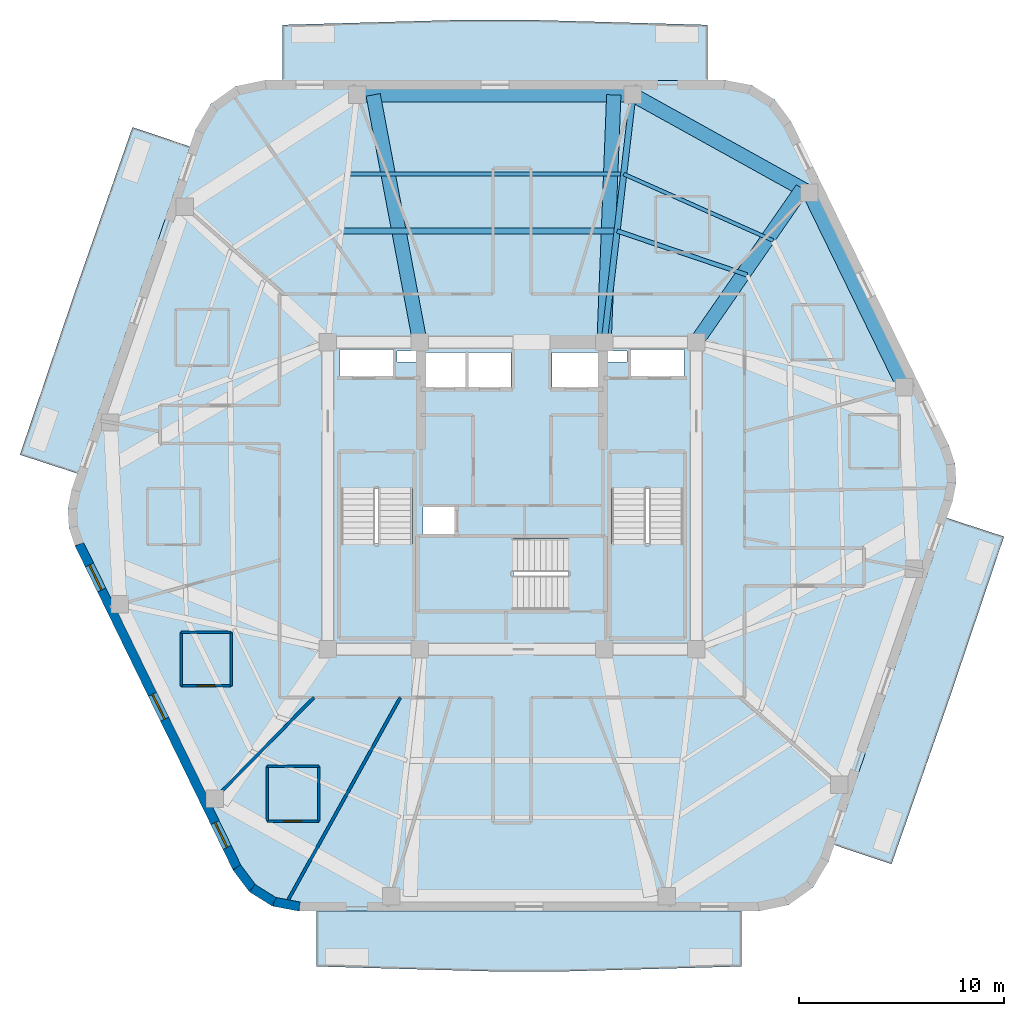
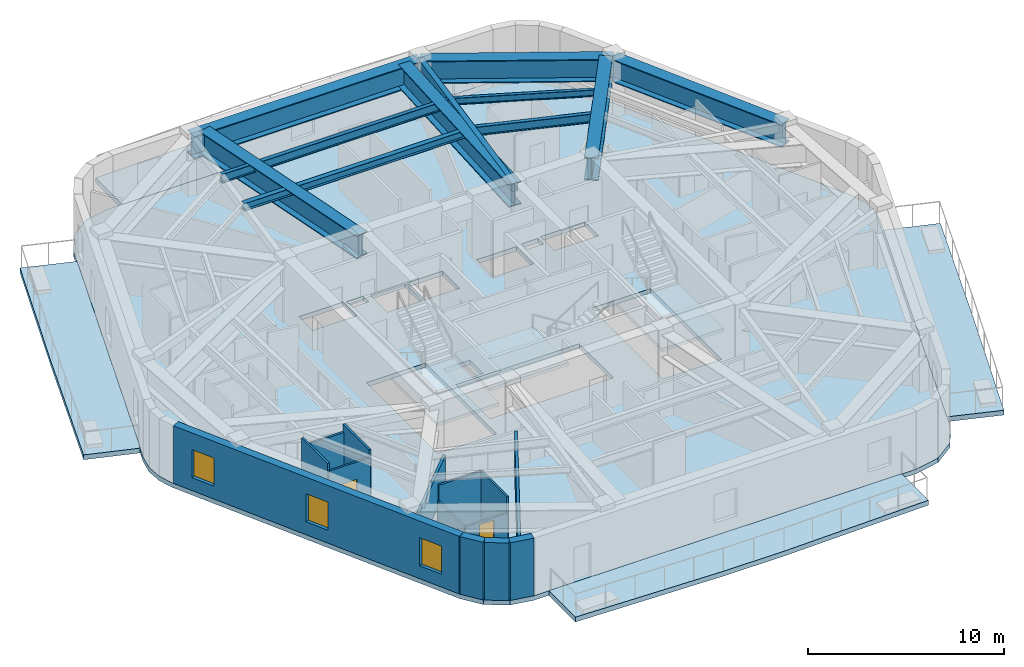
# One storey, part 2 of 9: 14 walls, 11 beams, 8 slabs, 3 windows, 2 doors, 5 openings, 3 elements without a shape of their own.
"""IFC4 building model written with IfcOpenShell, lengths in metres."""

from ifc_helpers import new_model, si_unit, direction, frame, frame_2d, origin, origin_2d, place, context, subcontext, project, spatial, polyline, rectangle, i_section, outline, extrude, material, layer, layer_set, material_profile, profile_set, type_object, element, fill, aggregate, save


model = new_model("IFC4")

# Units and contexts
model_context = context("Model", 3, precision=1e-05, world=origin(), true_north=direction((0.0, 1.0)))
body_context = subcontext(model_context, "Body", "Model", "MODEL_VIEW")
ifc_project = project(units=[si_unit("LENGTHUNIT", "METRE"), si_unit("AREAUNIT", "SQUARE_METRE"), si_unit("VOLUMEUNIT", "CUBIC_METRE"), si_unit("PLANEANGLEUNIT", "RADIAN"), si_unit("MASSUNIT", "GRAM", prefix="KILO")], contexts=[model_context])

# Site, building, storey
site_placement = place(None, origin())
site = spatial("IfcSite", under=ifc_project, at=site_placement, CompositionType="ELEMENT")
building_placement = place(site_placement, origin())
building = spatial("IfcBuilding", under=site, at=building_placement, Name="Kilnhurst Terrace Hotel", CompositionType="ELEMENT")
storey_placement = place(building_placement, frame((0.0, 0.0, 301.5)))
storey = spatial("IfcBuildingStorey", under=building, at=storey_placement, Name="L75", CompositionType="ELEMENT", Elevation=301.5)

# Beams
ifc_material_1 = material(Name="Concrete C50/60", Category="concrete")
ifc_material_profile_1 = material_profile(ifc_material_1, rectangle(XDim=0.300048828125, YDim=0.5, at=origin_2d()), Name="RC300X500")
ifc_profile_set_1 = profile_set([ifc_material_profile_1], Name="Concrete C50/60")
beam_type_1 = type_object("IfcBeamType", Name="BM-RAD-300X500", PredefinedType="BEAM", material=ifc_profile_set_1)
beam_1_placement = place(storey_placement, frame((4.5, 7.5, 3.330078125), z_axis=(0.115768472001, 0.993276225876, 0.0), x_axis=(-0.993276225876, 0.115768472001, 0.0)))
element("IfcBeam", 1, at=beam_1_placement, inside=storey, type_object=beam_type_1, Name="L75 Radial Floor Beam 7", PredefinedType="BEAM", context=body_context, shape_type="SweptSolid", body=[
    extrude(rectangle(XDim=0.300048828125, YDim=0.5, at=origin_2d()), origin(), (0.0, 0.0, 1.0), 12.161865234375),
])
ifc_material_2 = material(Name="Steel ASTM A992 Grade 50", Category="steel")
ifc_material_profile_2 = material_profile(ifc_material_2, i_section(OverallWidth=0.180908203125, OverallDepth=0.417236328125, WebThickness=0.010986328125, FlangeThickness=0.018310546875, at=origin_2d()), Name="W16X57")
ifc_profile_set_2 = profile_set([ifc_material_profile_2], Name="Steel ASTM A992 Grade 50")
beam_type_2 = type_object("IfcBeamType", Name="JST-STL-W16X57", PredefinedType="JOIST", material=ifc_profile_set_2)
beam_2_placement = place(storey_placement, frame((12.760986328125, 12.462646484375, 3.37109375), z_axis=(-0.913545640569, 0.406736232216, 0.0), x_axis=(-0.406736232216, -0.913545640569, 0.0)))
element("IfcBeam", 2, at=beam_2_placement, inside=storey, type_object=beam_type_2, Name="L75 Secondary Floor Steel Joist OUT.6", PredefinedType="JOIST", context=body_context, shape_type="SweptSolid", body=[
    extrude(i_section(OverallWidth=0.180908203125, OverallDepth=0.417236328125, WebThickness=0.010986328125, FlangeThickness=0.018310546875, at=origin_2d()), origin(), (0.0, 0.0, 1.0), 7.99462890625),
])
ifc_material_profile_3 = material_profile(ifc_material_2, i_section(OverallWidth=0.279296875, OverallDepth=0.462890625, WebThickness=0.0107421875, FlangeThickness=0.017333984375, at=origin_2d()), Name="W18X76")
ifc_profile_set_3 = profile_set([ifc_material_profile_3], Name="Steel ASTM A992 Grade 50")
beam_type_3 = type_object("IfcBeamType", Name="JST-STL-W18X76", PredefinedType="JOIST", material=ifc_profile_set_3)
beam_3_placement = place(storey_placement, frame((5.133544921875, 12.93603515625, 3.347900390625), z_axis=(-1.0, 0.0, 0.0), x_axis=(0.0, -1.0, 0.0)))
element("IfcBeam", 3, at=beam_3_placement, inside=storey, type_object=beam_type_3, Name="L75 Secondary Floor Steel Joist IN.7", PredefinedType="JOIST", context=body_context, shape_type="SweptSolid", body=[
    extrude(i_section(OverallWidth=0.279296875, OverallDepth=0.462890625, WebThickness=0.0107421875, FlangeThickness=0.017333984375, at=origin_2d()), origin(), (0.0, 0.0, 1.0), 13.489501953125),
])
ifc_material_profile_4 = material_profile(ifc_material_2, i_section(OverallWidth=0.2138671875, OverallDepth=0.549072265625, WebThickness=0.0146484375, FlangeThickness=0.023681640625, at=origin_2d()), Name="W21X93")
ifc_profile_set_4 = profile_set([ifc_material_profile_4], Name="Steel ASTM A992 Grade 50")
beam_type_4 = type_object("IfcBeamType", Name="JST-STL-W21X93", PredefinedType="JOIST", material=ifc_profile_set_4)
beam_4_placement = place(storey_placement, frame((5.45751953125, 15.71435546875, 3.304931640625), z_axis=(-1.0, 0.0, 0.0), x_axis=(0.0, -1.0, 0.0)))
element("IfcBeam", 4, at=beam_4_placement, inside=storey, type_object=beam_type_4, Name="L75 Secondary Floor Steel Joist OUT.7", PredefinedType="JOIST", context=body_context, shape_type="SweptSolid", body=[
    extrude(i_section(OverallWidth=0.2138671875, OverallDepth=0.549072265625, WebThickness=0.0146484375, FlangeThickness=0.023681640625, at=origin_2d()), origin(), (0.0, 0.0, 1.0), 13.484375),
])
beam_5_placement = place(storey_placement, frame((11.489013671875, 10.7841796875, 3.304931640625), z_axis=(-0.947180946302, 0.320699633555, 0.0), x_axis=(-0.320699633555, -0.947180946302, 0.0)))
element("IfcBeam", 5, at=beam_5_placement, inside=storey, type_object=beam_type_4, Name="L75 Secondary Floor Steel Joist IN.6", PredefinedType="JOIST", context=body_context, shape_type="SweptSolid", body=[
    extrude(i_section(OverallWidth=0.2138671875, OverallDepth=0.549072265625, WebThickness=0.0146484375, FlangeThickness=0.023681640625, at=origin_2d()), origin(), (0.0, 0.0, 1.0), 6.7099609375),
])
ifc_material_3 = material(Name="Steel ASTM A572 Grade 50", Category="steel")
ifc_material_profile_5 = material_profile(ifc_material_3, i_section(OverallWidth=0.699951171875, OverallDepth=1.39990234375, WebThickness=0.035888671875, FlangeThickness=0.054931640625, at=origin_2d()), Name="PG1400X700")
ifc_profile_set_5 = profile_set([ifc_material_profile_5], Name="Steel ASTM A572 Grade 50")
beam_type_5 = type_object("IfcBeamType", Name="TG-PORT-1400", PredefinedType="USERDEFINED", material=ifc_profile_set_5)
beam_6_placement = place(storey_placement, frame((19.157958984375, 5.304931640625, 2.8798828125), z_axis=(-0.438128464895, 0.898912369616, 0.0), x_axis=(-0.898912369616, -0.438128464895, 0.0)))
element("IfcBeam", 6, at=beam_6_placement, inside=storey, type_object=beam_type_5, Name="L75 Zone Step Perimeter Transfer Girder 5", ObjectType="GIRDER", PredefinedType="USERDEFINED", context=body_context, shape_type="SweptSolid", body=[
    extrude(i_section(OverallWidth=0.699951171875, OverallDepth=1.39990234375, WebThickness=0.035888671875, FlangeThickness=0.054931640625, at=origin_2d()), origin(), (0.0, 0.0, 1.0), 10.560791015625),
])
beam_7_placement = place(storey_placement, frame((14.531005859375, 14.798095703125, 2.8798828125), z_axis=(-0.874527255888, 0.484976369227, 0.0), x_axis=(-0.484976369227, -0.874527255888, 0.0)))
element("IfcBeam", 7, at=beam_7_placement, inside=storey, type_object=beam_type_5, Name="L75 Zone Step Perimeter Transfer Girder 6", ObjectType="GIRDER", PredefinedType="USERDEFINED", context=body_context, shape_type="SweptSolid", body=[
    extrude(i_section(OverallWidth=0.699951171875, OverallDepth=1.39990234375, WebThickness=0.035888671875, FlangeThickness=0.054931640625, at=origin_2d()), origin(), (0.0, 0.0, 1.0), 9.8603515625),
])
beam_8_placement = place(storey_placement, frame((5.907958984375, 19.580078125, 2.8798828125), z_axis=(-1.0, 0.0, 0.0), x_axis=(0.0, -1.0, 0.0)))
element("IfcBeam", 8, at=beam_8_placement, inside=storey, type_object=beam_type_5, Name="L75 Zone Step Perimeter Transfer Girder 7", ObjectType="GIRDER", PredefinedType="USERDEFINED", context=body_context, shape_type="SweptSolid", body=[
    extrude(i_section(OverallWidth=0.699951171875, OverallDepth=1.39990234375, WebThickness=0.035888671875, FlangeThickness=0.054931640625, at=origin_2d()), origin(), (0.0, 0.0, 1.0), 13.47705078125),
])
beam_9_placement = place(storey_placement, frame((9.0, 7.5, 2.8798828125), z_axis=(0.568765303988, 0.822499865641, 0.0), x_axis=(-0.822499865641, 0.568765303988, 0.0)))
element("IfcBeam", 9, at=beam_9_placement, inside=storey, type_object=beam_type_5, Name="L75 Zone Step Radial Transfer Girder 6", ObjectType="GIRDER", PredefinedType="USERDEFINED", context=body_context, shape_type="SweptSolid", body=[
    extrude(i_section(OverallWidth=0.699951171875, OverallDepth=1.39990234375, WebThickness=0.035888671875, FlangeThickness=0.054931640625, at=origin_2d()), origin(), (0.0, 0.0, 1.0), 9.109130859375),
])
beam_10_placement = place(storey_placement, frame((4.5, 7.5, 2.8798828125), z_axis=(0.039076840412, 0.999236208583, 0.0), x_axis=(-0.999236208583, 0.039076840412, 0.0)))
element("IfcBeam", 10, at=beam_10_placement, inside=storey, type_object=beam_type_5, Name="L75 Zone Step Radial Transfer Girder 7", ObjectType="GIRDER", PredefinedType="USERDEFINED", context=body_context, shape_type="SweptSolid", body=[
    extrude(i_section(OverallWidth=0.699951171875, OverallDepth=1.39990234375, WebThickness=0.035888671875, FlangeThickness=0.054931640625, at=origin_2d()), origin(), (0.0, 0.0, 1.0), 12.08935546875),
])
beam_11_placement = place(storey_placement, frame((-4.5, 7.5, 2.8798828125), z_axis=(-0.185602513669, 0.982624906523, 0.0), x_axis=(-0.982624906523, -0.185602513669, 0.0)))
element("IfcBeam", 11, at=beam_11_placement, inside=storey, type_object=beam_type_5, Name="L75 Zone Step Radial Transfer Girder 8", ObjectType="GIRDER", PredefinedType="USERDEFINED", context=body_context, shape_type="SweptSolid", body=[
    extrude(i_section(OverallWidth=0.699951171875, OverallDepth=1.39990234375, WebThickness=0.035888671875, FlangeThickness=0.054931640625, at=origin_2d()), origin(), (0.0, 0.0, 1.0), 12.293701171875),
])

# Slabs
ifc_layer_1 = layer(ifc_material_1, 0.300048828125, Name="Concrete C50/60")
ifc_layer_set_1 = layer_set([ifc_layer_1], Name="Concrete C50/60")
slab_type_1 = type_object("IfcSlabType", Name="SLB-BAL-300", PredefinedType="FLOOR", material=ifc_layer_set_1)
slab_1_placement = place(storey_placement, frame((0.0, 0.0, -0.300048828125)))
element("IfcSlab", 12, at=slab_1_placement, inside=storey, type_object=slab_type_1, Name="L75 Cantilevered Planted Terrace Slab BAL-L1A", PredefinedType="FLOOR", context=body_context, shape_type="SweptSolid", body=[
    extrude(outline(polyline([(2.62060546875, -23.239990234375), (-0.958984375, -23.239990234375), (-9.5498046875, -23.0), (-9.5498046875, -20.280029296875), (11.211669921875, -20.280029296875), (11.211669921875, -23.0), (2.62060546875, -23.239990234375)])), origin(), (0.0, 0.0, 1.0), 0.300048828125),
])
slab_2_placement = place(storey_placement, frame((0.0, 0.0, -0.300048828125)))
element("IfcSlab", 13, at=slab_2_placement, inside=storey, type_object=slab_type_1, Name="L75 Cantilevered Planted Terrace Slab BAL-L1B", PredefinedType="FLOOR", context=body_context, shape_type="SweptSolid", body=[
    extrude(outline(polyline([(18.541259765625, -18.0), (15.725341796875, -17.0556640625), (21.223388671875, -1.0791015625), (24.037353515625, -2.0), (21.317626953125, -10.054931640625), (18.541259765625, -18.0)])), origin(), (0.0, 0.0, 1.0), 0.300048828125),
])
slab_3_placement = place(storey_placement, frame((0.0, 0.0, -0.300048828125)))
element("IfcSlab", 14, at=slab_3_placement, inside=storey, type_object=slab_type_1, Name="L75 Cantilevered Planted Terrace Slab BAL-L2A", PredefinedType="FLOOR", context=body_context, shape_type="SweptSolid", body=[
    extrude(outline(polyline([(0.958984375, 23.239990234375), (9.5498046875, 23.0), (9.5498046875, 20.280029296875), (-11.211669921875, 20.280029296875), (-11.211669921875, 23.0), (-2.62060546875, 23.239990234375), (0.958984375, 23.239990234375)])), origin(), (0.0, 0.0, 1.0), 0.300048828125),
])
slab_4_placement = place(storey_placement, frame((0.0, 0.0, -0.300048828125)))
element("IfcSlab", 15, at=slab_4_placement, inside=storey, type_object=slab_type_1, Name="L75 Cantilevered Planted Terrace Slab BAL-L2B", PredefinedType="FLOOR", context=body_context, shape_type="SweptSolid", body=[
    extrude(outline(polyline([(-18.541259765625, 18.0), (-15.725341796875, 17.0556640625), (-21.223388671875, 1.0791015625), (-24.037353515625, 2.0), (-21.317626953125, 10.054931640625), (-18.541259765625, 18.0)])), origin(), (0.0, 0.0, 1.0), 0.300048828125),
])
ifc_layer_2 = layer(ifc_material_1, 0.280029296875, Name="Concrete C50/60")
ifc_layer_set_2 = layer_set([ifc_layer_2], Name="Concrete C50/60")
slab_type_2 = type_object("IfcSlabType", Name="SLB-FLR-280", PredefinedType="FLOOR", material=ifc_layer_set_2)
slab_5_placement = place(storey_placement, frame((0.0, 0.0, -0.280029296875)))
element("IfcSlab", 16, at=slab_5_placement, inside=storey, type_object=slab_type_2, Name="L75 Structural Floor Slab", PredefinedType="FLOOR", context=body_context, shape_type="SweptSolid", body=[
    extrude(outline(polyline([(-13.635986328125, -18.27734375), (-12.840087890625, -19.3466796875), (-11.709716796875, -20.05322265625), (-10.39990234375, -20.300048828125), (12.061767578125, -20.300048828125), (13.5068359375, -19.9970703125), (14.708984375, -19.139404296875), (15.4658203125, -17.871337890625), (21.51513671875, -0.29248046875), (21.7021484375, 0.627685546875), (21.64501953125, 1.565185546875), (21.34716796875, 2.4560546875), (13.635986328125, 18.27734375), (12.840087890625, 19.3466796875), (11.709716796875, 20.05322265625), (10.39990234375, 20.300048828125), (-12.061767578125, 20.300048828125), (-13.5068359375, 19.9970703125), (-14.708984375, 19.139404296875), (-15.4658203125, 17.871337890625), (-21.51513671875, 0.29248046875), (-21.7021484375, -0.627685546875), (-21.64501953125, -1.565185546875), (-21.34716796875, -2.4560546875), (-13.635986328125, -18.27734375)]), holes=[polyline([(-8.35009765625, 0.35498046875), (-4.8798828125, 0.35498046875), (-4.8798828125, -6.89990234375), (-8.35009765625, -6.89990234375), (-8.35009765625, 0.35498046875)]), polyline([(-2.800048828125, -1.89990234375), (-4.35009765625, -1.89990234375), (-4.35009765625, -0.550048828125), (-2.800048828125, -0.550048828125), (-2.800048828125, -1.89990234375)]), polyline([(-2.25, 5.25), (-4.300048828125, 5.25), (-4.300048828125, 7.0), (-2.25, 7.0), (-2.25, 5.25)]), polyline([(-2.1201171875, 5.25), (-2.1201171875, 7.0), (-0.050048828125, 7.0), (-0.050048828125, 5.25), (-2.1201171875, 5.25)]), polyline([(-8.39990234375, 5.75), (-8.39990234375, 7.14990234375), (-5.800048828125, 7.14990234375), (-5.800048828125, 5.75), (-8.39990234375, 5.75)]), polyline([(-4.659912109375, 6.52001953125), (-5.6201171875, 6.52001953125), (-5.6201171875, 7.080078125), (-4.659912109375, 7.080078125), (-4.659912109375, 6.52001953125)]), polyline([(2.7548828125, -5.550048828125), (-4.5, -5.550048828125), (-4.5, -2.080078125), (2.7548828125, -2.080078125), (2.7548828125, -5.550048828125)]), polyline([(8.35009765625, 0.35498046875), (8.35009765625, -6.89990234375), (4.8798828125, -6.89990234375), (4.8798828125, 0.35498046875), (8.35009765625, 0.35498046875)]), polyline([(4.300048828125, 5.25), (1.949951171875, 5.25), (1.949951171875, 7.0), (4.300048828125, 7.0), (4.300048828125, 5.25)]), polyline([(5.800048828125, 5.75), (5.800048828125, 7.14990234375), (8.39990234375, 7.14990234375), (8.39990234375, 5.75), (5.800048828125, 5.75)]), polyline([(4.659912109375, 6.52001953125), (4.659912109375, 7.080078125), (5.6201171875, 7.080078125), (5.6201171875, 6.52001953125), (4.659912109375, 6.52001953125)])]), origin(), (0.0, 0.0, 1.0), 0.280029296875),
])

# Stair, slab
stair_type = type_object("IfcStairType", Name="STR-CORE-1660", PredefinedType="HALF_TURN_STAIR", material=ifc_material_1)
stair_1_placement = place(storey_placement, origin())
stair_1 = element("IfcStair", 17, at=stair_1_placement, inside=storey, type_object=stair_type, Name="L75 ST-1", PredefinedType="HALF_TURN_STAIR")
ifc_layer_3 = layer(ifc_material_1, 0.199951171875, Name="Concrete C50/60")
ifc_layer_set_3 = layer_set([ifc_layer_3], Name="Concrete C50/60")
slab_type_3 = type_object("IfcSlabType", Name="SLB-ST-LND-200", PredefinedType="LANDING", material=ifc_layer_set_3)
slab_6_placement = place(storey_placement, frame((0.0, 0.0, 1.75)))
slab_6 = element("IfcSlab", 18, at=slab_6_placement, type_object=slab_type_3, Name="ST-1 landing 1", PredefinedType="LANDING", context=body_context, shape_type="SweptSolid", body=[
    extrude(outline(polyline([(-8.429931640625, -2.330078125), (-4.800048828125, -2.330078125), (-4.800048828125, -6.97998046875), (-8.429931640625, -6.97998046875), (-8.429931640625, -2.330078125)])), origin(), (0.0, 0.0, 1.0), 0.199951171875),
])
aggregate(stair_1, [slab_6])

stair_2_placement = place(storey_placement, origin())
stair_2 = element("IfcStair", 19, at=stair_2_placement, inside=storey, type_object=stair_type, Name="L75 ST-2", PredefinedType="HALF_TURN_STAIR")
slab_7_placement = place(storey_placement, frame((0.0, 0.0, 1.75)))
slab_7 = element("IfcSlab", 20, at=slab_7_placement, type_object=slab_type_3, Name="ST-2 landing 1", PredefinedType="LANDING", context=body_context, shape_type="SweptSolid", body=[
    extrude(outline(polyline([(4.800048828125, -2.330078125), (8.429931640625, -2.330078125), (8.429931640625, -6.97998046875), (4.800048828125, -6.97998046875), (4.800048828125, -2.330078125)])), origin(), (0.0, 0.0, 1.0), 0.199951171875),
])
aggregate(stair_2, [slab_7])

stair_3_placement = place(storey_placement, origin())
stair_3 = element("IfcStair", 21, at=stair_3_placement, inside=storey, type_object=stair_type, Name="L75 ST-3", PredefinedType="HALF_TURN_STAIR")
slab_8_placement = place(storey_placement, frame((0.0, 0.0, 1.75)))
slab_8 = element("IfcSlab", 22, at=slab_8_placement, type_object=slab_type_3, Name="ST-3 landing 1", PredefinedType="LANDING", context=body_context, shape_type="SweptSolid", body=[
    extrude(outline(polyline([(0.070068359375, -2.0), (0.070068359375, -5.6298828125), (-4.580078125, -5.6298828125), (-4.580078125, -2.0), (0.070068359375, -2.0)])), origin(), (0.0, 0.0, 1.0), 0.199951171875),
])
aggregate(stair_3, [slab_8])

# Walls
ifc_material_4 = material(Name="Precast concrete C40/50", Category="concrete")
ifc_layer_4 = layer(ifc_material_4, 0.449951171875, Name="Precast concrete C40/50")
ifc_layer_set_4 = layer_set([ifc_layer_4], Name="Precast concrete C40/50")
wall_type_1 = type_object("IfcWallType", Name="WL-BRK-450", PredefinedType="SOLIDWALL", material=ifc_layer_set_4)
wall_1_placement = place(storey_placement, frame((-13.44287109375, -18.159912109375, 0.0), z_axis=(0.0, 0.0, 1.0), x_axis=(0.597042425808, -0.802209661987, 0.0)))
element("IfcWall", 23, at=wall_1_placement, inside=storey, type_object=wall_type_1, Name="L75 Rounded Corner Brick Wall C1.1", PredefinedType="SOLIDWALL", context=body_context, shape_type="SweptSolid", body=[
    extrude(rectangle(XDim=1.269775390625, YDim=0.449951171875, at=frame_2d((0.634765625, 0.0))), origin(), (0.0, 0.0, 1.0), 3.580078125),
])
wall_2_placement = place(storey_placement, frame((-12.684814453125, -19.178466796875, 0.0), z_axis=(0.0, 0.0, 1.0), x_axis=(0.848031272749, -0.529946186362, 0.0)))
element("IfcWall", 24, at=wall_2_placement, inside=storey, type_object=wall_type_1, Name="L75 Rounded Corner Brick Wall C1.2", PredefinedType="SOLIDWALL", context=body_context, shape_type="SweptSolid", body=[
    extrude(rectangle(XDim=1.248046875, YDim=0.449951171875, at=frame_2d((0.6240234375, 0.0))), origin(), (0.0, 0.0, 1.0), 3.580078125),
])
wall_3_placement = place(storey_placement, frame((-11.62646484375, -19.83984375, 0.0), z_axis=(0.0, 0.0, 1.0), x_axis=(0.982701956681, -0.185194126083, 0.0)))
element("IfcWall", 25, at=wall_3_placement, inside=storey, type_object=wall_type_1, Name="L75 Rounded Corner Brick Wall C1.3", PredefinedType="SOLIDWALL", context=body_context, shape_type="SweptSolid", body=[
    extrude(rectangle(XDim=1.26953125, YDim=0.449951171875, at=frame_2d((0.634765625, 0.0))), origin(), (0.0, 0.0, 1.0), 3.580078125),
])

# Wall, openings, windows
wall_4_placement = place(storey_placement, frame((-21.138427734375, -2.370849609375, 0.0), z_axis=(0.0, 0.0, 1.0), x_axis=(0.438128124058, -0.89891253574, 0.0)))
wall_4 = element("IfcWall", 26, at=wall_4_placement, inside=storey, type_object=wall_type_1, Name="L75 Exterior Brick Facade Wall F6", PredefinedType="SOLIDWALL", context=body_context, shape_type="SweptSolid", body=[
    extrude(rectangle(XDim=17.564697265625, YDim=0.449951171875, at=frame_2d((8.7822265625, 0.0))), origin(), (0.0, 0.0, 1.0), 3.580078125),
])
opening_1_placement = place(wall_4_placement, frame((1.133056640625, 0.0, 0.800048828125)))
opening_1 = element("IfcOpeningElement", 27, at=opening_1_placement, cuts=wall_4, Name="Opening W-06", PredefinedType="OPENING", context=body_context, shape_type="SweptSolid", body=[
    extrude(rectangle(XDim=1.35009765625, YDim=1.75, at=frame_2d((0.675048828125, 0.875))), frame((0.0, 0.23486328125, 0.0), z_axis=(0.0, -1.0, 0.0), x_axis=(1.0, 0.0, 0.0)), (0.0, 0.0, 1.0), 0.469970703125),
])
opening_2_placement = place(wall_4_placement, frame((8.157958984375, 0.0, 0.800048828125)))
opening_2 = element("IfcOpeningElement", 28, at=opening_2_placement, cuts=wall_4, Name="Opening W-06", PredefinedType="OPENING", context=body_context, shape_type="SweptSolid", body=[
    extrude(rectangle(XDim=1.35009765625, YDim=1.75, at=frame_2d((0.675048828125, 0.875))), frame((0.0, 0.23486328125, 0.0), z_axis=(0.0, -1.0, 0.0), x_axis=(1.0, 0.0, 0.0)), (0.0, 0.0, 1.0), 0.469970703125),
])
opening_3_placement = place(wall_4_placement, frame((15.132080078125, 0.0, 0.800048828125)))
opening_3 = element("IfcOpeningElement", 29, at=opening_3_placement, cuts=wall_4, Name="Opening W-06", PredefinedType="OPENING", context=body_context, shape_type="SweptSolid", body=[
    extrude(rectangle(XDim=1.35009765625, YDim=1.75, at=frame_2d((0.675048828125, 0.875))), frame((0.0, 0.23486328125, 0.0), z_axis=(0.0, -1.0, 0.0), x_axis=(1.0, 0.0, 0.0)), (0.0, 0.0, 1.0), 0.469970703125),
])
ifc_material_5 = material(Name="Thermally Broken Bronze Aluminium Alloy 6063-T6 and Low-E Glass", Category="aluminium")
window_type = type_object("IfcWindowType", Name="WIN-1350X1750", PartitioningType="SINGLE_PANEL", PredefinedType="WINDOW", material=ifc_material_5)
window_1_placement = place(opening_1_placement, origin())
window_1 = element("IfcWindow", 30, at=window_1_placement, inside=storey, type_object=window_type, Name="L75 Deep-Set Masonry Window F6.1", OverallHeight=1.75, OverallWidth=1.35009765625, PartitioningType="SINGLE_PANEL", PredefinedType="WINDOW", context=body_context, shape_type="SweptSolid", body=[
    extrude(rectangle(XDim=1.35009765625, YDim=1.75, at=frame_2d((0.675048828125, 0.875))), frame((0.0, 0.030029296875, 0.0), z_axis=(0.0, -1.0, 0.0), x_axis=(1.0, 0.0, 0.0)), (0.0, 0.0, 1.0), 0.06005859375),
])
fill(opening_1, window_1)
window_2_placement = place(opening_2_placement, origin())
window_2 = element("IfcWindow", 31, at=window_2_placement, inside=storey, type_object=window_type, Name="L75 Deep-Set Masonry Window F6.2", OverallHeight=1.75, OverallWidth=1.35009765625, PartitioningType="SINGLE_PANEL", PredefinedType="WINDOW", context=body_context, shape_type="SweptSolid", body=[
    extrude(rectangle(XDim=1.35009765625, YDim=1.75, at=frame_2d((0.675048828125, 0.875))), frame((0.0, 0.030029296875, 0.0), z_axis=(0.0, -1.0, 0.0), x_axis=(1.0, 0.0, 0.0)), (0.0, 0.0, 1.0), 0.06005859375),
])
fill(opening_2, window_2)
window_3_placement = place(opening_3_placement, origin())
window_3 = element("IfcWindow", 32, at=window_3_placement, inside=storey, type_object=window_type, Name="L75 Deep-Set Masonry Window F6.3", OverallHeight=1.75, OverallWidth=1.35009765625, PartitioningType="SINGLE_PANEL", PredefinedType="WINDOW", context=body_context, shape_type="SweptSolid", body=[
    extrude(rectangle(XDim=1.35009765625, YDim=1.75, at=frame_2d((0.675048828125, 0.875))), frame((0.0, 0.030029296875, 0.0), z_axis=(0.0, -1.0, 0.0), x_axis=(1.0, 0.0, 0.0)), (0.0, 0.0, 1.0), 0.06005859375),
])
fill(opening_3, window_3)

# Walls
ifc_material_6 = material(Name="STC-58 Acoustic Twin-Frame Guestroom Demising Partition")
ifc_layer_5 = layer(ifc_material_6, 0.14990234375, Name="STC-58 Acoustic Twin-Frame Guestroom Demising Partition")
ifc_layer_set_5 = layer_set([ifc_layer_5], Name="STC-58 Acoustic Twin-Frame Guestroom Demising Partition")
wall_type_2 = type_object("IfcWallType", Name="WL-DEM-150", PredefinedType="PARTITIONING", material=ifc_layer_set_5)
wall_5_placement = place(storey_placement, frame((-9.67236328125, -9.85009765625, 0.0), z_axis=(0.0, 0.0, 1.0), x_axis=(-0.700629771301, -0.713524998558, 0.0)))
element("IfcWall", 33, at=wall_5_placement, inside=storey, type_object=wall_type_2, Name="L75 Interior Wall WL-L75-DEM-COL08-10-1", PredefinedType="PARTITIONING", context=body_context, shape_type="SweptSolid", body=[
    extrude(rectangle(XDim=7.45947265625, YDim=0.14990234375, at=frame_2d((3.729736328125, 0.0))), origin(), (0.0, 0.0, 1.0), 2.169921875),
])
wall_6_placement = place(storey_placement, frame((-5.453857421875, -9.85009765625, 0.0), z_axis=(0.0, 0.0, 1.0), x_axis=(-0.48439420613, -0.874849846012, 0.0)))
element("IfcWall", 34, at=wall_6_placement, inside=storey, type_object=wall_type_2, Name="L75 Interior Wall WL-L75-DEM-MID08-11-1", PredefinedType="PARTITIONING", context=body_context, shape_type="SweptSolid", body=[
    extrude(rectangle(XDim=11.37548828125, YDim=0.14990234375, at=frame_2d((5.687744140625, 0.0))), origin(), (0.0, 0.0, 1.0), 2.169921875),
])

# Wall, opening, door
ifc_material_7 = material(Name="120 mm Moisture-Resistant Tile-Backed Bathroom Partition")
ifc_layer_6 = layer(ifc_material_7, 0.1201171875, Name="120 mm Moisture-Resistant Tile-Backed Bathroom Partition")
ifc_layer_set_6 = layer_set([ifc_layer_6], Name="120 mm Moisture-Resistant Tile-Backed Bathroom Partition")
wall_type_3 = type_object("IfcWallType", Name="WL-PART-120", PredefinedType="PARTITIONING", material=ifc_layer_set_6)
wall_7_placement = place(storey_placement, frame((-16.1630859375, -9.287109375, 0.0), z_axis=(0.0, 0.0, 1.0), x_axis=(1.0, 0.0, 0.0)))
wall_7 = element("IfcWall", 35, at=wall_7_placement, inside=storey, type_object=wall_type_3, Name="L75 Interior Wall WL-L75-RBTH-08-1", PredefinedType="PARTITIONING", context=body_context, shape_type="SweptSolid", body=[
    extrude(rectangle(XDim=2.440185546875, YDim=0.1201171875, at=frame_2d((1.22021484375, 0.0))), origin(), (0.0, 0.0, 1.0), 3.1064453125),
])
opening_4_placement = place(wall_7_placement, frame((0.794921875, 0.0, 0.0)))
opening_4 = element("IfcOpeningElement", 36, at=opening_4_placement, cuts=wall_7, Name="Opening D-08A", PredefinedType="OPENING", context=body_context, shape_type="SweptSolid", body=[
    extrude(rectangle(XDim=0.85009765625, YDim=2.030029296875, at=frame_2d((0.425048828125, 1.01513671875))), frame((0.0, 0.070068359375, 0.0), z_axis=(0.0, -1.0, 0.0), x_axis=(1.0, 0.0, 0.0)), (0.0, 0.0, 1.0), 0.14013671875),
])
ifc_material_8 = material(Name="Moisture-Resistant Lacquered En-suite Bathroom Door")
door_type = type_object("IfcDoorType", Name="DR-INT-850", OperationType="NOTDEFINED", PredefinedType="DOOR", material=ifc_material_8)
door_1_placement = place(opening_4_placement, origin())
door_1 = element("IfcDoor", 37, at=door_1_placement, inside=storey, type_object=door_type, Name="L75 Sky Residence Bathroom Door 8", OperationType="SINGLE_SWING_LEFT", OverallHeight=2.030029296875, OverallWidth=0.85009765625, PredefinedType="DOOR", context=body_context, shape_type="SweptSolid", body=[
    extrude(rectangle(XDim=0.85009765625, YDim=2.030029296875, at=frame_2d((0.425048828125, 1.01513671875))), frame((0.0, 0.02490234375, 0.0), z_axis=(0.0, -1.0, 0.0), x_axis=(1.0, 0.0, 0.0)), (0.0, 0.0, 1.0), 0.050048828125),
])
fill(opening_4, door_1)

# Walls
wall_8_placement = place(storey_placement, frame((-13.722900390625, -9.287109375, 0.0), z_axis=(0.0, 0.0, 1.0), x_axis=(0.0, 1.0, 0.0)))
element("IfcWall", 38, at=wall_8_placement, inside=storey, type_object=wall_type_3, Name="L75 Interior Wall WL-L75-RBTH-08-2", PredefinedType="PARTITIONING", context=body_context, shape_type="SweptSolid", body=[
    extrude(rectangle(XDim=2.610107421875, YDim=0.1201171875, at=frame_2d((1.30517578125, 0.0))), origin(), (0.0, 0.0, 1.0), 3.580078125),
])
wall_9_placement = place(storey_placement, frame((-13.722900390625, -6.677001953125, 0.0), z_axis=(0.0, 0.0, 1.0), x_axis=(-1.0, 0.0, 0.0)))
element("IfcWall", 39, at=wall_9_placement, inside=storey, type_object=wall_type_3, Name="L75 Interior Wall WL-L75-RBTH-08-3", PredefinedType="PARTITIONING", context=body_context, shape_type="SweptSolid", body=[
    extrude(rectangle(XDim=2.440185546875, YDim=0.1201171875, at=frame_2d((1.22021484375, 0.0))), origin(), (0.0, 0.0, 1.0), 3.1064453125),
])
wall_10_placement = place(storey_placement, frame((-16.1630859375, -6.677001953125, 0.0), z_axis=(0.0, 0.0, 1.0), x_axis=(0.0, -1.0, 0.0)))
element("IfcWall", 40, at=wall_10_placement, inside=storey, type_object=wall_type_3, Name="L75 Interior Wall WL-L75-RBTH-08-4", PredefinedType="PARTITIONING", context=body_context, shape_type="SweptSolid", body=[
    extrude(rectangle(XDim=2.610107421875, YDim=0.1201171875, at=frame_2d((1.30517578125, 0.0))), origin(), (0.0, 0.0, 1.0), 3.580078125),
])

# Wall, opening, door
wall_11_placement = place(storey_placement, frame((-11.958984375, -15.905029296875, 0.0), z_axis=(0.0, 0.0, 1.0), x_axis=(1.0, 0.0, 0.0)))
wall_11 = element("IfcWall", 41, at=wall_11_placement, inside=storey, type_object=wall_type_3, Name="L75 Interior Wall WL-L75-BTH-10-1", PredefinedType="PARTITIONING", context=body_context, shape_type="SweptSolid", body=[
    extrude(rectangle(XDim=2.52001953125, YDim=0.1201171875, at=frame_2d((1.260009765625, 0.0))), origin(), (0.0, 0.0, 1.0), 2.169921875),
])
opening_5_placement = place(wall_11_placement, frame((0.8349609375, 0.0, 0.0)))
opening_5 = element("IfcOpeningElement", 42, at=opening_5_placement, cuts=wall_11, Name="Opening D-08A", PredefinedType="OPENING", context=body_context, shape_type="SweptSolid", body=[
    extrude(rectangle(XDim=0.85009765625, YDim=2.030029296875, at=frame_2d((0.425048828125, 1.01513671875))), frame((0.0, 0.070068359375, 0.0), z_axis=(0.0, -1.0, 0.0), x_axis=(1.0, 0.0, 0.0)), (0.0, 0.0, 1.0), 0.14013671875),
])
door_2_placement = place(opening_5_placement, origin())
door_2 = element("IfcDoor", 43, at=door_2_placement, inside=storey, type_object=door_type, Name="L75 En-suite Bathroom Door 10", OperationType="SINGLE_SWING_LEFT", OverallHeight=2.030029296875, OverallWidth=0.85009765625, PredefinedType="DOOR", context=body_context, shape_type="SweptSolid", body=[
    extrude(rectangle(XDim=0.85009765625, YDim=2.030029296875, at=frame_2d((0.425048828125, 1.01513671875))), frame((0.0, 0.02490234375, 0.0), z_axis=(0.0, -1.0, 0.0), x_axis=(1.0, 0.0, 0.0)), (0.0, 0.0, 1.0), 0.050048828125),
])
fill(opening_5, door_2)

# Walls
wall_12_placement = place(storey_placement, frame((-9.43896484375, -15.905029296875, 0.0), z_axis=(0.0, 0.0, 1.0), x_axis=(0.0, 1.0, 0.0)))
element("IfcWall", 44, at=wall_12_placement, inside=storey, type_object=wall_type_3, Name="L75 Interior Wall WL-L75-BTH-10-2", PredefinedType="PARTITIONING", context=body_context, shape_type="SweptSolid", body=[
    extrude(rectangle(XDim=2.679931640625, YDim=0.1201171875, at=frame_2d((1.33984375, 0.0))), origin(), (0.0, 0.0, 1.0), 3.15234375),
])
wall_13_placement = place(storey_placement, frame((-9.43896484375, -13.22509765625, 0.0), z_axis=(0.0, 0.0, 1.0), x_axis=(-1.0, 0.0, 0.0)))
element("IfcWall", 45, at=wall_13_placement, inside=storey, type_object=wall_type_3, Name="L75 Interior Wall WL-L75-BTH-10-3", PredefinedType="PARTITIONING", context=body_context, shape_type="SweptSolid", body=[
    extrude(rectangle(XDim=2.52001953125, YDim=0.1201171875, at=frame_2d((1.260009765625, 0.0))), origin(), (0.0, 0.0, 1.0), 3.15234375),
])
wall_14_placement = place(storey_placement, frame((-11.958984375, -13.22509765625, 0.0), z_axis=(0.0, 0.0, 1.0), x_axis=(0.0, -1.0, 0.0)))
element("IfcWall", 46, at=wall_14_placement, inside=storey, type_object=wall_type_3, Name="L75 Interior Wall WL-L75-BTH-10-4", PredefinedType="PARTITIONING", context=body_context, shape_type="SweptSolid", body=[
    extrude(rectangle(XDim=2.679931640625, YDim=0.1201171875, at=frame_2d((1.33984375, 0.0))), origin(), (0.0, 0.0, 1.0), 2.169921875),
])

save(model, "model.ifc")
